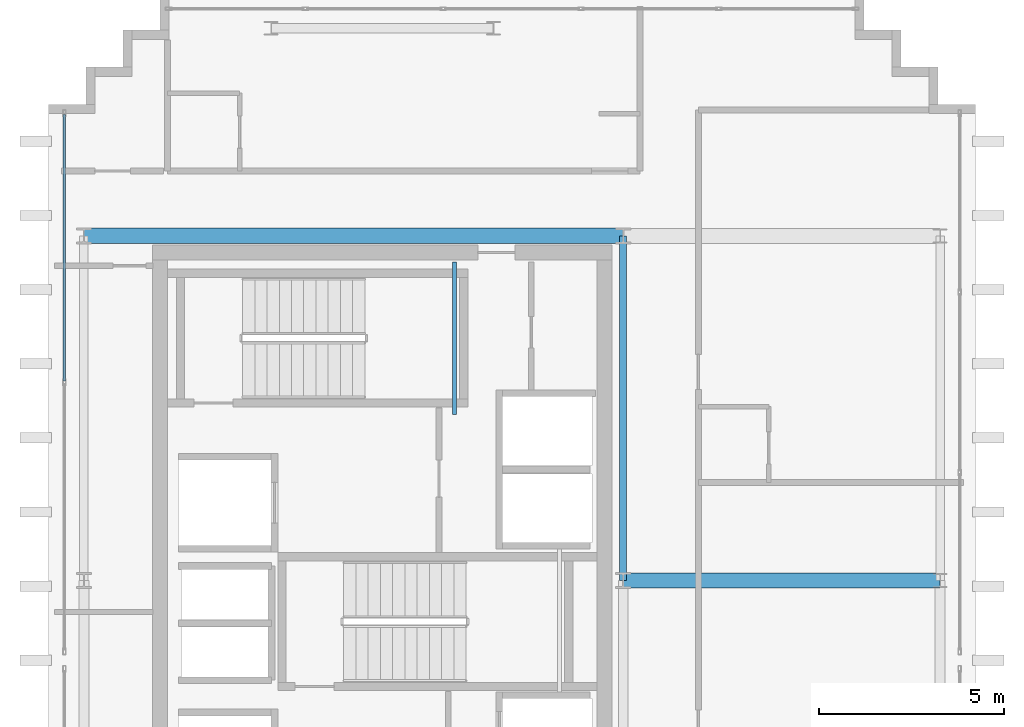
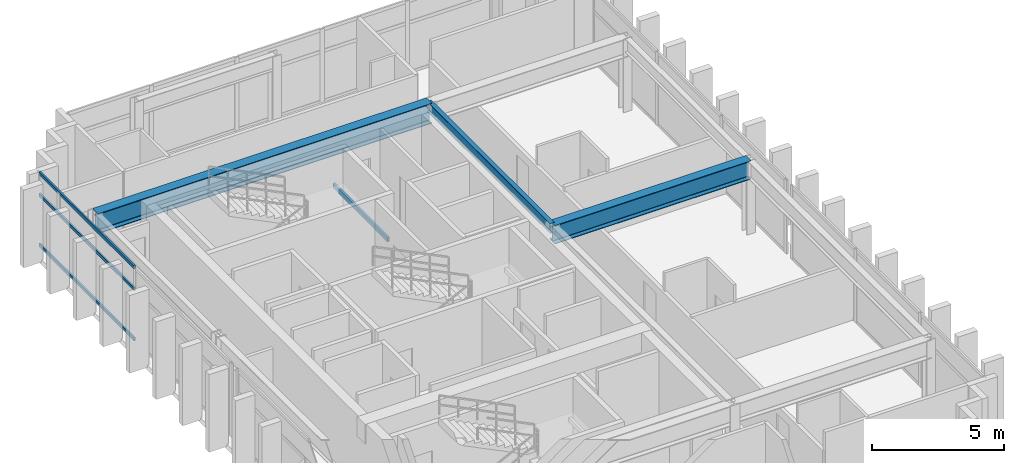
# One storey, part 7 of 15: 4 beams, 3 members, 1 element without a shape of its own.
"""IFC4 building model written with IfcOpenShell, lengths in metres."""

import ifcopenshell
import ifcopenshell.guid

model = None  # the IFC model being written
_history = None  # IfcOwnerHistory: only IFC2X3 demands one
_inside = {}  # id of a spatial element -> (the spatial element, [elements in it])
_under = {}  # id of a project, library or spatial element -> (it, [spatial elements below it])
_declared = {}  # id of a project -> (the project, [libraries it declares])
_typed = {}  # id of a type object -> (the type object, [elements of that type])
_made_of = {}  # id of a material, layer set ... -> (it, [elements and type objects made of it])


def new_model(schema):
    """Start an empty IFC model of exactly this schema.

    Asked for "IFC4X3", IfcOpenShell would pick the latest addendum, in which some entities
    have other attributes; the version numbers below select the first issue.
    IFC2X3 requires an IfcOwnerHistory on every rooted entity: one is made here for all.
    """
    global model, _history
    if schema == "IFC4X3":
        model = ifcopenshell.file(schema_version=(4, 3, 0, 0))
    else:
        model = ifcopenshell.file(schema=schema)
    _inside.clear()
    _under.clear()
    _declared.clear()
    _typed.clear()
    _made_of.clear()
    _history = None
    if model.schema == "IFC2X3":
        org = make("IfcOrganization", Name="unknown")
        user = make(
            "IfcPersonAndOrganization",
            ThePerson=make("IfcPerson", FamilyName="unknown"),
            TheOrganization=org,
        )
        app = make(
            "IfcApplication",
            ApplicationDeveloper=org,
            Version="unknown",
            ApplicationFullName="unknown",
            ApplicationIdentifier="unknown",
        )
        _history = make(
            "IfcOwnerHistory",
            OwningUser=user,
            OwningApplication=app,
            ChangeAction="ADDED",
            CreationDate=0,
        )
    return model


def make(cls, **values):
    """One entity of the class cls with the attributes given. An attribute that is None is left unset."""
    return model.create_entity(
        cls, **{name: value for name, value in values.items() if value is not None}
    )


def rooted(cls, **values):
    """An entity with a GlobalId (a new one), such as an element, a storey or a relation."""
    return make(cls, GlobalId=ifcopenshell.guid.new(), OwnerHistory=_history, **values)


def si_unit(unit_type, name, prefix=None):
    """IfcSIUnit, for example si_unit("LENGTHUNIT", "METRE", prefix="MILLI")."""
    return make("IfcSIUnit", UnitType=unit_type, Prefix=prefix, Name=name)


def assignment(units):
    """IfcUnitAssignment: the units of a project."""
    return None if units is None else make("IfcUnitAssignment", Units=units)


def point(xyz):
    """IfcCartesianPoint."""
    return None if xyz is None else make("IfcCartesianPoint", Coordinates=xyz)


def direction(xyz):
    """IfcDirection."""
    return None if xyz is None else make("IfcDirection", DirectionRatios=xyz)


def frame(location, z_axis=None, x_axis=None):
    """IfcAxis2Placement3D, a coordinate frame: its origin and axes. An axis left out is left unset."""
    return make(
        "IfcAxis2Placement3D",
        Location=point(location),
        Axis=direction(z_axis),
        RefDirection=direction(x_axis),
    )


def frame_2d(location, x_axis=None):
    """IfcAxis2Placement2D, a coordinate frame in the plane: its origin and x axis."""
    return make(
        "IfcAxis2Placement2D", Location=point(location), RefDirection=direction(x_axis)
    )


def origin():
    """The frame at (0, 0, 0) with its axes left unset."""
    return frame((0.0, 0.0, 0.0))


def origin_2d():
    """The frame at (0, 0) in the plane with its x axis left unset."""
    return frame_2d((0.0, 0.0))


def place(relative_to, where):
    """IfcLocalPlacement: puts the frame where relative to a parent placement (None: the world)."""
    return make(
        "IfcLocalPlacement", PlacementRelTo=relative_to, RelativePlacement=where
    )


def context(
    kind, dimensions, precision=None, world=None, true_north=None, identifier=None
):
    """IfcGeometricRepresentationContext, for example the 3D "Model" context."""
    return make(
        "IfcGeometricRepresentationContext",
        ContextIdentifier=identifier,
        ContextType=kind,
        CoordinateSpaceDimension=dimensions,
        Precision=precision,
        WorldCoordinateSystem=world,
        TrueNorth=true_north,
    )


def subcontext(parent, identifier, kind, view, scale=None):
    """IfcGeometricRepresentationSubContext, for example "Body" below "Model"."""
    return make(
        "IfcGeometricRepresentationSubContext",
        ContextIdentifier=identifier,
        ContextType=kind,
        ParentContext=parent,
        TargetScale=scale,
        TargetView=view,
    )


def project(units=None, contexts=None):
    """IfcProject with its units and contexts."""
    return rooted(
        "IfcProject",
        Name="project",
        RepresentationContexts=contexts,
        UnitsInContext=assignment(units),
    )


def spatial(cls, under=None, at=None, **own):
    """A site, building, storey or space (cls), placed at a placement, below another one or the project."""
    s = rooted(cls, ObjectPlacement=at, **own)
    if under is not None:
        _under.setdefault(under.id(), (under, []))[1].append(s)
    return s


def profile(cls, at=None, kind="AREA", **sizes):
    """A parametric profile (cls). Its sizes go by their IFC names, for example OverallWidth=200.0."""
    return make(cls, ProfileType=kind, Position=at, **sizes)


def hollow_rectangle(**sizes):
    """IfcRectangleHollowProfileDef."""
    return profile("IfcRectangleHollowProfileDef", **sizes)


def i_section(**sizes):
    """IfcIShapeProfileDef."""
    return profile("IfcIShapeProfileDef", **sizes)


def extrude(swept, where, along, depth):
    """IfcExtrudedAreaSolid: the profile swept, set in the frame where, extruded along a direction by depth."""
    return make(
        "IfcExtrudedAreaSolid",
        SweptArea=swept,
        Position=where,
        ExtrudedDirection=direction(along),
        Depth=depth,
    )


def shape(context_of_items, identifier, shape_type, items):
    """IfcShapeRepresentation: the items that make up one representation, for example the "Body"."""
    return make(
        "IfcShapeRepresentation",
        ContextOfItems=context_of_items,
        RepresentationIdentifier=identifier,
        RepresentationType=shape_type,
        Items=items,
    )


def source(mapping_origin, context_of_items, identifier, shape_type, items):
    """IfcRepresentationMap: a shape defined once, which mapped items show again and again."""
    return make(
        "IfcRepresentationMap",
        MappingOrigin=mapping_origin,
        MappedRepresentation=shape(context_of_items, identifier, shape_type, items),
    )


def transform(
    local_origin,
    x_axis=None,
    y_axis=None,
    z_axis=None,
    scale=None,
    scale2=None,
    scale3=None,
    uniform=True,
):
    """IfcCartesianTransformationOperator3D, or its non-uniform kind. x_axis, y_axis, z_axis: its Axis1, 2, 3."""
    if uniform:
        return make(
            "IfcCartesianTransformationOperator3D",
            Axis1=direction(x_axis),
            Axis2=direction(y_axis),
            LocalOrigin=point(local_origin),
            Scale=scale,
            Axis3=direction(z_axis),
        )
    return make(
        "IfcCartesianTransformationOperator3DnonUniform",
        Axis1=direction(x_axis),
        Axis2=direction(y_axis),
        LocalOrigin=point(local_origin),
        Scale=scale,
        Axis3=direction(z_axis),
        Scale2=scale2,
        Scale3=scale3,
    )


def mapped(mapping_source, mapping_target):
    """IfcMappedItem: shows the shape of a source again, moved by a transform."""
    return make(
        "IfcMappedItem", MappingSource=mapping_source, MappingTarget=mapping_target
    )


def material(Name=None, Category=None):
    """IfcMaterial."""
    return make("IfcMaterial", Name=Name, Category=Category)


def layer(
    of_material, thickness, ventilated=None, Name=None, Category=None, Priority=None
):
    """IfcMaterialLayer: one layer of a wall or slab, of a material (None: an air gap)."""
    return make(
        "IfcMaterialLayer",
        Material=of_material,
        LayerThickness=thickness,
        IsVentilated=ventilated,
        Name=Name,
        Category=Category,
        Priority=Priority,
    )


def layer_set(layers, Name=None):
    """IfcMaterialLayerSet."""
    return make("IfcMaterialLayerSet", MaterialLayers=layers, LayerSetName=Name)


def material_profile(
    of_material, cross_section, Name=None, Category=None, Priority=None
):
    """IfcMaterialProfile: a cross section and its material."""
    return make(
        "IfcMaterialProfile",
        Name=Name,
        Material=of_material,
        Profile=cross_section,
        Priority=Priority,
        Category=Category,
    )


def profile_set(profiles, Name=None, composite=None):
    """IfcMaterialProfileSet."""
    return make(
        "IfcMaterialProfileSet",
        Name=Name,
        MaterialProfiles=profiles,
        CompositeProfile=composite,
    )


def made_of(thing, what):
    """Note that an element or type object is made of a material, layer set ...; save() writes the relation."""
    if what is not None:
        _made_of.setdefault(what.id(), (what, []))[1].append(thing)
    return thing


def type_object(cls, material=None, **own):
    """A type object (cls), such as IfcWallType, which elements share."""
    return made_of(rooted(cls, **own), material)


def element(
    cls,
    number,
    at=None,
    inside=None,
    cuts=None,
    type_object=None,
    material=None,
    context=None,
    identifier="Body",
    shape_type=None,
    held_by="IfcProductDefinitionShape",
    body=None,
    shapes=None,
    **own,
):
    """One element of the class cls, such as IfcWall. Its Tag is "e" and its number.

    at: its placement. inside: the storey or other place that contains it. cuts: it is an
    opening in that element (IfcRelVoidsElement). A single representation is given by context,
    identifier, shape_type and body (its items); several are given by shapes. held_by: the class
    of the entity that holds the representations. save() writes the other relations.
    """
    e = rooted(cls, Tag="e%d" % number, ObjectPlacement=at, **own)
    if body is not None:
        shapes = [shape(context, identifier, shape_type, body)]
    if shapes is not None:
        e.Representation = make(held_by, Representations=shapes)
    if inside is not None:
        _inside.setdefault(inside.id(), (inside, []))[1].append(e)
    if cuts is not None:
        rooted(
            "IfcRelVoidsElement", RelatingBuildingElement=cuts, RelatedOpeningElement=e
        )
    if type_object is not None:
        _typed.setdefault(type_object.id(), (type_object, []))[1].append(e)
    return made_of(e, material)


def aggregate(whole, parts):
    """IfcRelAggregates: a whole, such as a stair, and the parts it consists of."""
    return rooted("IfcRelAggregates", RelatingObject=whole, RelatedObjects=parts)


def save(model, path):
    """Write the relations noted so far, then the file.

    IfcRelAggregates (storeys below a building ...), IfcRelContainedInSpatialStructure (elements
    in a storey), IfcRelDefinesByType, IfcRelAssociatesMaterial and IfcRelDeclares: one each for
    every whole, place, type object, material and project.
    """
    for whole, parts in _under.values():
        aggregate(whole, parts)
    for where, things in _inside.values():
        rooted(
            "IfcRelContainedInSpatialStructure",
            RelatedElements=things,
            RelatingStructure=where,
        )
    for kind, things in _typed.values():
        rooted("IfcRelDefinesByType", RelatedObjects=things, RelatingType=kind)
    for what, things in _made_of.values():
        rooted("IfcRelAssociatesMaterial", RelatedObjects=things, RelatingMaterial=what)
    for by, libraries in _declared.values():
        rooted("IfcRelDeclares", RelatingContext=by, RelatedDefinitions=libraries)
    model.write(path)


model = new_model("IFC4")

# Units and contexts
model_context = context("Model", 3, precision=1e-05, world=origin(), true_north=direction((0.0, 1.0)))
body_context = subcontext(model_context, "Body", "Model", "MODEL_VIEW")
ifc_project = project(units=[si_unit("LENGTHUNIT", "METRE"), si_unit("AREAUNIT", "SQUARE_METRE"), si_unit("VOLUMEUNIT", "CUBIC_METRE"), si_unit("PLANEANGLEUNIT", "RADIAN"), si_unit("MASSUNIT", "GRAM", prefix="KILO")], contexts=[model_context])

# Site, building, storey
site_placement = place(None, origin())
site = spatial("IfcSite", under=ifc_project, at=site_placement, CompositionType="ELEMENT")
building_placement = place(site_placement, origin())
building = spatial("IfcBuilding", under=site, at=building_placement, Name="Ocotamira Hotel", CompositionType="ELEMENT")
storey_placement = place(building_placement, frame((0.0, 0.0, 279.60009765625)))
storey = spatial("IfcBuildingStorey", under=building, at=storey_placement, Name="L71", CompositionType="ELEMENT", Elevation=279.60009765625)

# Beams
ifc_material_1 = material(Name="Steel ASTM A500 Grade C", Category="steel")
ifc_material_profile_1 = material_profile(ifc_material_1, hollow_rectangle(XDim=0.10009765625, YDim=0.199951171875, WallThickness=0.008056640625, at=origin_2d()), Name="HSS200X100X8")
ifc_profile_set_1 = profile_set([ifc_material_profile_1], Name="Steel ASTM A500 Grade C")
beam_type_1 = type_object("IfcBeamType", Name="BM-STLDG-HSS200", PredefinedType="BEAM", material=ifc_profile_set_1)
shared_shape_1 = source(origin(), body_context, "Body", "SweptSolid", [
    extrude(hollow_rectangle(XDim=0.10009765625, YDim=0.199951171875, WallThickness=0.008056640625, at=origin_2d()), origin(), (0.0, 0.0, 1.0), 4.1201171875),
])
beam_1_placement = place(storey_placement, frame((18.949951171875, 32.6298828125, 1.5), z_axis=(0.0, 1.0, 0.0), x_axis=(-1.0, 0.0, 0.0)))
element("IfcBeam", 1, at=beam_1_placement, inside=storey, type_object=beam_type_1, Name="L71 Stair ST-2 Landing Bearer 1", PredefinedType="BEAM", context=body_context, shape_type="MappedRepresentation", body=[
    mapped(shared_shape_1, transform((0.0, 0.0, 0.0), scale=1.0)),
])
ifc_material_2 = material(Name="Steel ASTM A992 Grade 50", Category="steel")
ifc_material_profile_2 = material_profile(ifc_material_2, i_section(OverallWidth=0.41796875, OverallDepth=0.927001953125, WebThickness=0.019287109375, FlangeThickness=0.031982421875, FilletRadius=0.02392578125, at=origin_2d()), Name="W36X231")
ifc_profile_set_2 = profile_set([ifc_material_profile_2], Name="Steel ASTM A992 Grade 50")
beam_type_2 = type_object("IfcBeamType", Name="BM-GIRD-W36X231", PredefinedType="BEAM", material=ifc_profile_set_2)
shared_shape_2 = source(origin(), body_context, "Body", "SweptSolid", [
    extrude(i_section(OverallWidth=0.41796875, OverallDepth=0.927001953125, WebThickness=0.019287109375, FlangeThickness=0.031982421875, FilletRadius=0.02392578125, at=origin_2d()), origin(), (0.0, 0.0, 1.0), 14.550048828125),
])
beam_2_placement = place(storey_placement, frame((8.949951171875, 37.449951171875, 2.91650390625), z_axis=(1.0, 0.0, 0.0), x_axis=(0.0, 1.0, 0.0)))
element("IfcBeam", 2, at=beam_2_placement, inside=storey, type_object=beam_type_2, Name="L71 Girder Y37.45 X8.95-23.5", PredefinedType="BEAM", context=body_context, shape_type="MappedRepresentation", body=[
    mapped(shared_shape_2, transform((0.0, 0.0, 0.0), scale=1.0)),
])
ifc_material_profile_3 = material_profile(ifc_material_2, i_section(OverallWidth=0.18994140625, OverallDepth=0.45703125, WebThickness=0.009033203125, FlangeThickness=0.014404296875, FilletRadius=0.010009765625, at=origin_2d()), Name="W18X50")
ifc_profile_set_3 = profile_set([ifc_material_profile_3], Name="Steel ASTM A992 Grade 50")
beam_type_3 = type_object("IfcBeamType", Name="BM-SEC-W18X50", PredefinedType="JOIST", material=ifc_profile_set_3)
shared_shape_3 = source(origin(), body_context, "Body", "SweptSolid", [
    extrude(i_section(OverallWidth=0.18994140625, OverallDepth=0.45703125, WebThickness=0.009033203125, FlangeThickness=0.014404296875, FilletRadius=0.010009765625, at=origin_2d()), origin(), (0.0, 0.0, 1.0), 9.300048828125),
])
beam_3_placement = place(storey_placement, frame((23.5, 28.14990234375, 3.1513671875), z_axis=(0.0, 1.0, 0.0), x_axis=(-1.0, 0.0, 0.0)))
element("IfcBeam", 3, at=beam_3_placement, inside=storey, type_object=beam_type_3, Name="L71 Beam X23.5 Y28.15-37.45", PredefinedType="JOIST", context=body_context, shape_type="MappedRepresentation", body=[
    mapped(shared_shape_3, transform((0.0, 0.0, 0.0), scale=1.0)),
])
ifc_material_profile_4 = material_profile(ifc_material_2, i_section(OverallWidth=0.39990234375, OverallDepth=0.85595703125, WebThickness=0.018310546875, FlangeThickness=0.029296875, FilletRadius=0.02001953125, at=origin_2d()), Name="W33X201")
ifc_profile_set_4 = profile_set([ifc_material_profile_4], Name="Steel ASTM A992 Grade 50")
beam_type_4 = type_object("IfcBeamType", Name="BM-GIRD-W33X201", PredefinedType="BEAM", material=ifc_profile_set_4)
shared_shape_4 = source(origin(), body_context, "Body", "SweptSolid", [
    extrude(i_section(OverallWidth=0.39990234375, OverallDepth=0.85595703125, WebThickness=0.018310546875, FlangeThickness=0.029296875, FilletRadius=0.02001953125, at=origin_2d()), origin(), (0.0, 0.0, 1.0), 8.550048828125),
])
beam_4_placement = place(storey_placement, frame((23.5, 28.14990234375, 2.951904296875), z_axis=(1.0, 0.0, 0.0), x_axis=(0.0, 1.0, 0.0)))
element("IfcBeam", 4, at=beam_4_placement, inside=storey, type_object=beam_type_4, Name="L71 Girder Y28.15 X23.5-32.05", PredefinedType="BEAM", context=body_context, shape_type="MappedRepresentation", body=[
    mapped(shared_shape_4, transform((0.0, 0.0, 0.0), scale=1.0)),
])

# Curtain wall, members
ifc_material_3 = material(Name="Anodised pale-metal aluminium and solar glass", Category="aluminium")
ifc_layer = layer(ifc_material_3, 0.2099609375)
ifc_layer_set = layer_set([ifc_layer], Name="Anodised pale-metal aluminium and solar glass")
curtain_wall_type = type_object("IfcCurtainWallType", Name="CW-SYS7-PEAK", PredefinedType="NOTDEFINED", material=ifc_layer_set)
curtain_wall_placement = place(storey_placement, origin())
curtain_wall = element("IfcCurtainWall", 5, at=curtain_wall_placement, inside=storey, type_object=curtain_wall_type, Name="L71 Curtain Wall CW-7 CW-L71-W2", PredefinedType="NOTDEFINED")
ifc_material_4 = material(Name="Anodised pale-metal aluminium 6063-T6", Category="aluminium")
ifc_material_profile_5 = material_profile(ifc_material_4, hollow_rectangle(XDim=0.074951171875, YDim=0.14990234375, WallThickness=0.006103515625, at=origin_2d()), Name="HSS150X75X6")
ifc_profile_set_5 = profile_set([ifc_material_profile_5], Name="Anodised pale-metal aluminium 6063-T6")
member_type = type_object("IfcMemberType", Name="CWT-150X75", PredefinedType="USERDEFINED", material=ifc_profile_set_5)
shared_shape_5 = source(origin(), body_context, "Body", "SweptSolid", [
    extrude(hollow_rectangle(XDim=0.074951171875, YDim=0.14990234375, WallThickness=0.006103515625, at=origin_2d()), origin(), (0.0, 0.0, 1.0), 7.179931640625),
])
member_1_placement = place(storey_placement, frame((8.419921875, 33.5400390625, 0.037353515625), z_axis=(0.0, 1.0, 0.0), x_axis=(-1.0, 0.0, 0.0)))
member_1 = element("IfcMember", 6, at=member_1_placement, type_object=member_type, Name="CW-7 transom 2.1", ObjectType="TRANSOM", PredefinedType="USERDEFINED", context=body_context, shape_type="MappedRepresentation", body=[
    mapped(shared_shape_5, transform((0.0, 0.0, 0.0), scale=1.0)),
])
member_2_placement = place(storey_placement, frame((8.419921875, 33.5400390625, 2.349853515625), z_axis=(0.0, 1.0, 0.0), x_axis=(-1.0, 0.0, 0.0)))
member_2 = element("IfcMember", 7, at=member_2_placement, type_object=member_type, Name="CW-7 transom 2.2", ObjectType="TRANSOM", PredefinedType="USERDEFINED", context=body_context, shape_type="MappedRepresentation", body=[
    mapped(shared_shape_5, transform((0.0, 0.0, 0.0), scale=1.0)),
])
member_3_placement = place(storey_placement, frame((8.419921875, 33.5400390625, 3.34228515625), z_axis=(0.0, 1.0, 0.0), x_axis=(-1.0, 0.0, 0.0)))
member_3 = element("IfcMember", 8, at=member_3_placement, type_object=member_type, Name="CW-7 transom 2.3", ObjectType="TRANSOM", PredefinedType="USERDEFINED", context=body_context, shape_type="MappedRepresentation", body=[
    mapped(shared_shape_5, transform((0.0, 0.0, 0.0), scale=1.0)),
])
aggregate(curtain_wall, [member_1, member_2, member_3])

save(model, "model.ifc")
